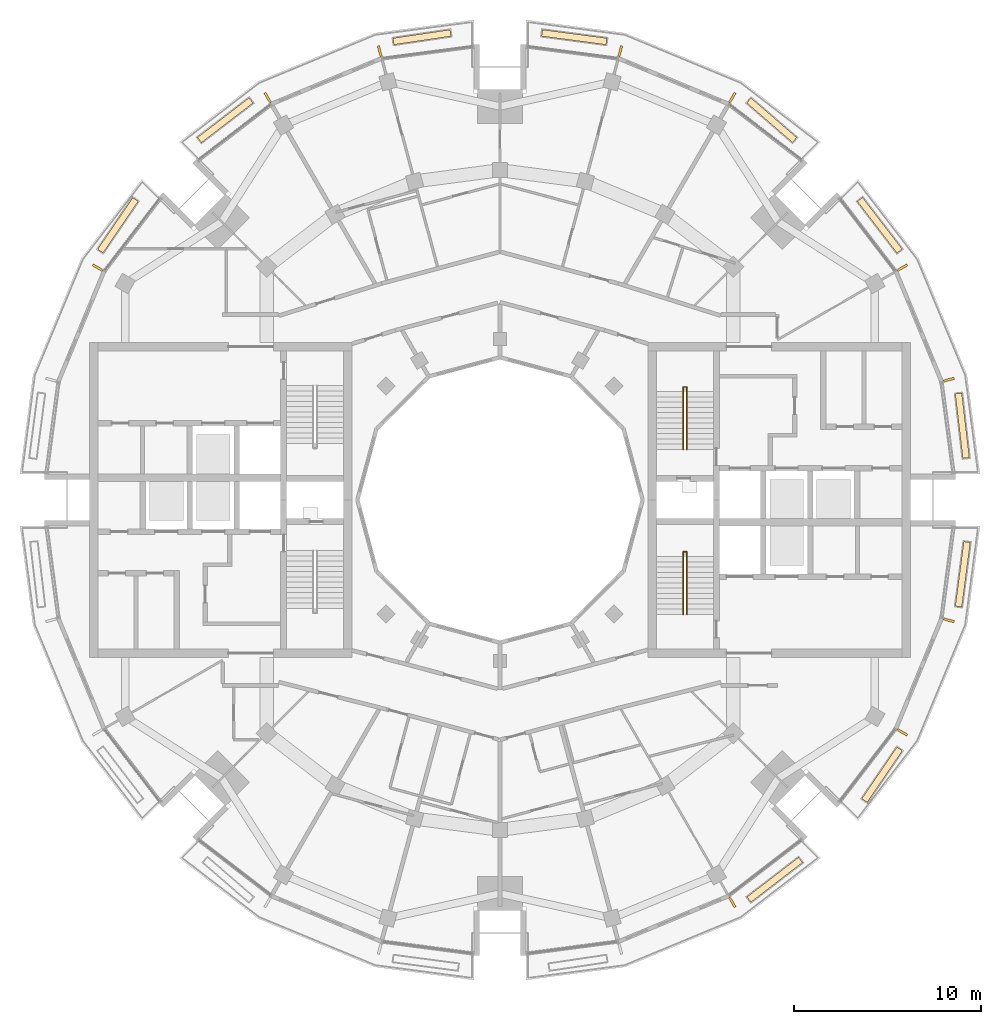
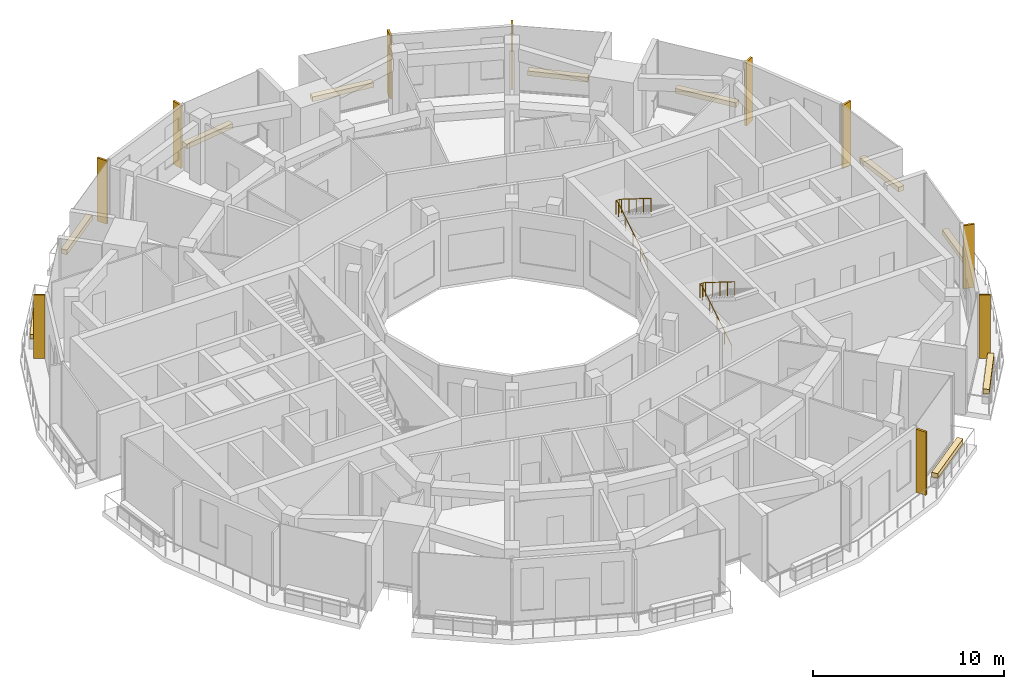
# One storey, part 16 of 17: 10 coverings, 10 shading devices, 2 railings.
"""IFC4 building model written with IfcOpenShell, lengths in metres."""

from ifc_helpers import new_model, si_unit, direction, frame, origin, origin_2d, place, context, subcontext, project, spatial, polyline, rectangle, circle, outline, extrude, material, layer, layer_set, material_profile, profile_set, type_object, element, save


model = new_model("IFC4")

# Units and contexts
model_context = context("Model", 3, precision=1e-05, world=origin(), true_north=direction((0.0, 1.0)))
body_context = subcontext(model_context, "Body", "Model", "MODEL_VIEW")
ifc_project = project(units=[si_unit("LENGTHUNIT", "METRE"), si_unit("AREAUNIT", "SQUARE_METRE"), si_unit("VOLUMEUNIT", "CUBIC_METRE"), si_unit("PLANEANGLEUNIT", "RADIAN"), si_unit("MASSUNIT", "GRAM", prefix="KILO")], contexts=[model_context])

# Site, building, storey
site_placement = place(None, origin())
site = spatial("IfcSite", under=ifc_project, at=site_placement, CompositionType="ELEMENT")
building_placement = place(site_placement, origin())
building = spatial("IfcBuilding", under=site, at=building_placement, Name="Torre Brocal", CompositionType="ELEMENT")
storey_placement = place(building_placement, frame((0.0, 0.0, 275.699951171875)))
storey = spatial("IfcBuildingStorey", under=building, at=storey_placement, Name="L63", CompositionType="ELEMENT", Elevation=275.699951171875)

# Shading devices
ifc_material_1 = material(Name="Aluminium, black anodised", Category="aluminium")
ifc_material_profile = material_profile(ifc_material_1, rectangle(XDim=0.1201171875, YDim=0.60009765625, at=origin_2d()), Name="FIN 120X600 4050 HIGH FROM FLOOR")
ifc_profile_set = profile_set([ifc_material_profile], Name="Aluminium, black anodised")
shading_device_type = type_object("IfcShadingDeviceType", Name="FIN 120X600 4050 HIGH FROM FLOOR", PredefinedType="USERDEFINED", material=ifc_profile_set)
for number, where, z_axis, x_axis, name in (
    (1, (103.947265625, 81.416748046875, 0.0), (0.0, 0.0, 1.0), (-0.258819045103, 0.965925826289, 0.0), "FIN"),
    (2, (101.470458984375, 87.39599609375, 0.0), (0.0, 0.0, 1.0), (-0.5, 0.866025403784, 0.0), "FIN"),
    (3, (92.39599609375, 96.470458984375, 0.0), (0.0, 0.0, 1.0), (-0.866025403784, 0.5, 0.0), "FIN"),
    (4, (86.416748046875, 98.947265625, 0.0), (0.0, 0.0, 1.0), (-0.965925826289, 0.258819045103, 0.0), "FIN"),
    (5, (73.583251953125, 98.947265625, 0.0), (0.0, 0.0, 1.0), (-0.965925826289, -0.258819045103, 0.0), "FIN"),
    (6, (67.60400390625, 96.470458984375, 0.0), (0.0, 0.0, 1.0), (-0.866025403784, -0.5, 0.0), "FIN"),
    (7, (58.529541015625, 87.39599609375, 0.0), (0.0, 0.0, 1.0), (-0.5, -0.866025403784, 0.0), "FIN"),
    (8, (92.39599609375, 53.529541015625, 0.0), (0.0, 0.0, 1.0), (0.866025403784, 0.5, 0.0), "FIN"),
    (9, (101.470458984375, 62.60400390625, 0.0), (0.0, 0.0, 1.0), (0.5, 0.866025403784, 0.0), "FIN"),
    (10, (103.947265625, 68.583251953125, 0.0), (0.0, 0.0, 1.0), (0.258819045103, 0.965925826289, 0.0), "FIN"),
):
    element("IfcShadingDevice", number, at=place(storey_placement, frame(where, z_axis=z_axis, x_axis=x_axis)), inside=storey, type_object=shading_device_type, Name=name, ObjectType="FIN", PredefinedType="USERDEFINED", context=body_context, shape_type="SweptSolid", body=[
        extrude(rectangle(XDim=0.1201171875, YDim=0.60009765625, at=origin_2d()), origin(), (0.0, 0.0, 1.0), 4.050048828125),
    ])

# Coverings
ifc_material_2 = material(Name="Planting soil")
ifc_layer = layer(ifc_material_2, 0.300048828125)
ifc_layer_set = layer_set([ifc_layer], Name="Planting soil")
covering_type = type_object("IfcCoveringType", Name="PLANTING SOIL 300", PredefinedType="FLOORING", material=ifc_layer_set)
covering_1_placement = place(storey_placement, frame((0.0, 0.0, 0.60009765625)))
element("IfcCovering", 11, at=covering_1_placement, inside=storey, type_object=covering_type, Name="PLANTING SOIL", PredefinedType="FLOORING", context=body_context, shape_type="SweptSolid", body=[
    extrude(outline(polyline([(104.69775390625, 77.222412109375), (104.29541015625, 80.663818359375), (104.64306640625, 80.70458984375), (105.04541015625, 77.26318359375), (104.69775390625, 77.222412109375)])), origin(), (0.0, 0.0, 1.0), 0.300048828125),
])
covering_2_placement = place(storey_placement, frame((0.0, 0.0, 0.60009765625)))
element("IfcCovering", 12, at=covering_2_placement, inside=storey, type_object=covering_type, Name="PLANTING SOIL", PredefinedType="FLOORING", context=body_context, shape_type="SweptSolid", body=[
    extrude(outline(polyline([(101.183349609375, 88.177001953125), (99.0703125, 90.930908203125), (99.347900390625, 91.14404296875), (101.461181640625, 88.39013671875), (101.183349609375, 88.177001953125)])), origin(), (0.0, 0.0, 1.0), 0.300048828125),
])
covering_3_placement = place(storey_placement, frame((0.0, 0.0, 0.60009765625)))
element("IfcCovering", 13, at=covering_3_placement, inside=storey, type_object=covering_type, Name="PLANTING SOIL", PredefinedType="FLOORING", context=body_context, shape_type="SweptSolid", body=[
    extrude(outline(polyline([(95.607421875, 94.078857421875), (93.167236328125, 96.1875), (93.39599609375, 96.452392578125), (95.83642578125, 94.34375), (95.607421875, 94.078857421875)])), origin(), (0.0, 0.0, 1.0), 0.300048828125),
])
covering_4_placement = place(storey_placement, frame((0.0, 0.0, 0.60009765625)))
element("IfcCovering", 14, at=covering_4_placement, inside=storey, type_object=covering_type, Name="PLANTING SOIL", PredefinedType="FLOORING", context=body_context, shape_type="SweptSolid", body=[
    extrude(outline(polyline([(85.661376953125, 99.29638671875), (82.219970703125, 99.74951171875), (82.265625, 100.096435546875), (85.70703125, 99.6435546875), (85.661376953125, 99.29638671875)])), origin(), (0.0, 0.0, 1.0), 0.300048828125),
])
covering_5_placement = place(storey_placement, frame((0.0, 0.0, 0.60009765625)))
element("IfcCovering", 15, at=covering_5_placement, inside=storey, type_object=covering_type, Name="PLANTING SOIL", PredefinedType="FLOORING", context=body_context, shape_type="SweptSolid", body=[
    extrude(outline(polyline([(77.386474609375, 99.7490234375), (74.34130859375, 99.297607421875), (74.2900390625, 99.643798828125), (77.335205078125, 100.095458984375), (77.386474609375, 99.7490234375)])), origin(), (0.0, 0.0, 1.0), 0.300048828125),
])
covering_6_placement = place(storey_placement, frame((0.0, 0.0, 0.60009765625)))
element("IfcCovering", 16, at=covering_6_placement, inside=storey, type_object=covering_type, Name="PLANTING SOIL", PredefinedType="FLOORING", context=body_context, shape_type="SweptSolid", body=[
    extrude(outline(polyline([(66.822998046875, 96.183349609375), (64.069091796875, 94.0703125), (63.85595703125, 94.347900390625), (66.60986328125, 96.461181640625), (66.822998046875, 96.183349609375)])), origin(), (0.0, 0.0, 1.0), 0.300048828125),
])
covering_7_placement = place(storey_placement, frame((0.0, 0.0, 0.60009765625)))
element("IfcCovering", 17, at=covering_7_placement, inside=storey, type_object=covering_type, Name="PLANTING SOIL", PredefinedType="FLOORING", context=body_context, shape_type="SweptSolid", body=[
    extrude(outline(polyline([(60.6943359375, 90.937255859375), (58.820068359375, 88.1865234375), (58.53076171875, 88.3837890625), (60.405029296875, 91.13427734375), (60.6943359375, 90.937255859375)])), origin(), (0.0, 0.0, 1.0), 0.300048828125),
])
covering_8_placement = place(storey_placement, frame((0.0, 0.0, 0.60009765625)))
element("IfcCovering", 18, at=covering_8_placement, inside=storey, type_object=covering_type, Name="PLANTING SOIL", PredefinedType="FLOORING", context=body_context, shape_type="SweptSolid", body=[
    extrude(outline(polyline([(93.177001953125, 53.816650390625), (95.930908203125, 55.9296875), (96.14404296875, 55.652099609375), (93.39013671875, 53.538818359375), (93.177001953125, 53.816650390625)])), origin(), (0.0, 0.0, 1.0), 0.300048828125),
])
covering_9_placement = place(storey_placement, frame((0.0, 0.0, 0.60009765625)))
element("IfcCovering", 19, at=covering_9_placement, inside=storey, type_object=covering_type, Name="PLANTING SOIL", PredefinedType="FLOORING", context=body_context, shape_type="SweptSolid", body=[
    extrude(outline(polyline([(99.3056640625, 59.062744140625), (101.179931640625, 61.8134765625), (101.46923828125, 61.6162109375), (99.594970703125, 58.86572265625), (99.3056640625, 59.062744140625)])), origin(), (0.0, 0.0, 1.0), 0.300048828125),
])
covering_10_placement = place(storey_placement, frame((0.0, 0.0, 0.60009765625)))
element("IfcCovering", 20, at=covering_10_placement, inside=storey, type_object=covering_type, Name="PLANTING SOIL", PredefinedType="FLOORING", context=body_context, shape_type="SweptSolid", body=[
    extrude(outline(polyline([(104.29638671875, 69.338623046875), (104.74951171875, 72.780029296875), (105.096435546875, 72.734375), (104.6435546875, 69.29296875), (104.29638671875, 69.338623046875)])), origin(), (0.0, 0.0, 1.0), 0.300048828125),
])

# Railings
ifc_material_3 = material(Name="Stainless steel AISI 316", Category="steel")
railing_type = type_object("IfcRailingType", Name="STAIR HANDRAIL", PredefinedType="HANDRAIL", material=ifc_material_3)
railing_1_placement = place(storey_placement, frame((89.780029296875, 77.699951171875, 0.175048828125)))
element("IfcRailing", 21, at=railing_1_placement, inside=storey, type_object=railing_type, Name="HANDRAIL ST1", PredefinedType="HANDRAIL", context=body_context, shape_type="SweptSolid", body=[
    extrude(circle(Radius=0.02392578125, at=origin_2d()), frame((0.0, 0.0, 0.8759765625), z_axis=(0.0, 0.847998304005, 0.529998940003), x_axis=(-1.0, 0.0, 0.0)), (0.0, 0.0, 1.0), 3.632080078125),
    extrude(circle(Radius=0.02392578125, at=origin_2d()), frame((0.0, 3.080078125, 2.80078125), z_axis=(0.0, 1.0, 0.0), x_axis=(-1.0, 0.0, 0.0)), (0.0, 0.0, 1.0), 0.25),
    extrude(circle(Radius=0.02392578125, at=origin_2d()), frame((0.0, 3.330078125, 2.80078125), z_axis=(1.0, 0.0, 0.0), x_axis=(0.0, 1.0, 0.0)), (0.0, 0.0, 1.0), 0.18994140625),
    extrude(circle(Radius=0.02392578125, at=origin_2d()), frame((0.18994140625, 3.330078125, 2.80078125), z_axis=(0.0, -0.819156749665, 0.573569716318), x_axis=(1.0, 0.0, 0.0)), (0.0, 0.0, 1.0), 0.30517578125),
    extrude(circle(Radius=0.02392578125, at=origin_2d()), frame((0.18994140625, 3.080078125, 2.97607421875), z_axis=(0.0, -0.848028513186, 0.529950602248), x_axis=(1.0, 0.0, 0.0)), (0.0, 0.0, 1.0), 3.632080078125),
    extrude(circle(Radius=0.02099609375, at=origin_2d()), origin(), (0.0, 0.0, 1.0), 0.851806640625),
    extrude(circle(Radius=0.02099609375, at=origin_2d()), frame((0.0, 0.77001953125, 0.481201171875)), (0.0, 0.0, 1.0), 0.851806640625),
    extrude(circle(Radius=0.02099609375, at=origin_2d()), frame((0.0, 1.5400390625, 0.96240234375)), (0.0, 0.0, 1.0), 0.851806640625),
    extrude(circle(Radius=0.02099609375, at=origin_2d()), frame((0.0, 2.31005859375, 1.44384765625)), (0.0, 0.0, 1.0), 0.851806640625),
    extrude(circle(Radius=0.02099609375, at=origin_2d()), frame((0.0, 3.080078125, 1.925048828125)), (0.0, 0.0, 1.0), 0.851806640625),
    extrude(circle(Radius=0.02099609375, at=origin_2d()), frame((0.0, 3.330078125, 1.925048828125)), (0.0, 0.0, 1.0), 0.851806640625),
    extrude(circle(Radius=0.02099609375, at=origin_2d()), frame((0.18994140625, 3.330078125, 1.925048828125)), (0.0, 0.0, 1.0), 0.851806640625),
    extrude(circle(Radius=0.02099609375, at=origin_2d()), frame((0.18994140625, 3.080078125, 2.10009765625)), (0.0, 0.0, 1.0), 0.851806640625),
    extrude(circle(Radius=0.02099609375, at=origin_2d()), frame((0.18994140625, 2.31005859375, 2.581298828125)), (0.0, 0.0, 1.0), 0.851806640625),
    extrude(circle(Radius=0.02099609375, at=origin_2d()), frame((0.18994140625, 1.5400390625, 3.0625)), (0.0, 0.0, 1.0), 0.851806640625),
    extrude(circle(Radius=0.02099609375, at=origin_2d()), frame((0.18994140625, 0.77001953125, 3.543701171875)), (0.0, 0.0, 1.0), 0.851806640625),
    extrude(circle(Radius=0.02099609375, at=origin_2d()), frame((0.18994140625, 0.0, 4.02490234375)), (0.0, 0.0, 1.0), 0.851806640625),
])
railing_2_placement = place(storey_placement, frame((89.780029296875, 68.89990234375, 0.175048828125)))
element("IfcRailing", 22, at=railing_2_placement, inside=storey, type_object=railing_type, Name="HANDRAIL ST2", PredefinedType="HANDRAIL", context=body_context, shape_type="SweptSolid", body=[
    extrude(circle(Radius=0.02392578125, at=origin_2d()), frame((0.0, 0.0, 0.8759765625), z_axis=(0.0, 0.847998304005, 0.529998940003), x_axis=(-1.0, 0.0, 0.0)), (0.0, 0.0, 1.0), 3.632080078125),
    extrude(circle(Radius=0.02392578125, at=origin_2d()), frame((0.0, 3.080078125, 2.80078125), z_axis=(0.0, 1.0, 0.0), x_axis=(-1.0, 0.0, 0.0)), (0.0, 0.0, 1.0), 0.25),
    extrude(circle(Radius=0.02392578125, at=origin_2d()), frame((0.0, 3.330078125, 2.80078125), z_axis=(1.0, 0.0, 0.0), x_axis=(0.0, 1.0, 0.0)), (0.0, 0.0, 1.0), 0.18994140625),
    extrude(circle(Radius=0.02392578125, at=origin_2d()), frame((0.18994140625, 3.330078125, 2.80078125), z_axis=(0.0, -0.819156749665, 0.573569716318), x_axis=(1.0, 0.0, 0.0)), (0.0, 0.0, 1.0), 0.30517578125),
    extrude(circle(Radius=0.02392578125, at=origin_2d()), frame((0.18994140625, 3.080078125, 2.97607421875), z_axis=(0.0, -0.848028513186, 0.529950602248), x_axis=(1.0, 0.0, 0.0)), (0.0, 0.0, 1.0), 3.632080078125),
    extrude(circle(Radius=0.02099609375, at=origin_2d()), origin(), (0.0, 0.0, 1.0), 0.851806640625),
    extrude(circle(Radius=0.02099609375, at=origin_2d()), frame((0.0, 0.77001953125, 0.481201171875)), (0.0, 0.0, 1.0), 0.851806640625),
    extrude(circle(Radius=0.02099609375, at=origin_2d()), frame((0.0, 1.5400390625, 0.96240234375)), (0.0, 0.0, 1.0), 0.851806640625),
    extrude(circle(Radius=0.02099609375, at=origin_2d()), frame((0.0, 2.31005859375, 1.44384765625)), (0.0, 0.0, 1.0), 0.851806640625),
    extrude(circle(Radius=0.02099609375, at=origin_2d()), frame((0.0, 3.080078125, 1.925048828125)), (0.0, 0.0, 1.0), 0.851806640625),
    extrude(circle(Radius=0.02099609375, at=origin_2d()), frame((0.0, 3.330078125, 1.925048828125)), (0.0, 0.0, 1.0), 0.851806640625),
    extrude(circle(Radius=0.02099609375, at=origin_2d()), frame((0.18994140625, 3.330078125, 1.925048828125)), (0.0, 0.0, 1.0), 0.851806640625),
    extrude(circle(Radius=0.02099609375, at=origin_2d()), frame((0.18994140625, 3.080078125, 2.10009765625)), (0.0, 0.0, 1.0), 0.851806640625),
    extrude(circle(Radius=0.02099609375, at=origin_2d()), frame((0.18994140625, 2.31005859375, 2.581298828125)), (0.0, 0.0, 1.0), 0.851806640625),
    extrude(circle(Radius=0.02099609375, at=origin_2d()), frame((0.18994140625, 1.5400390625, 3.0625)), (0.0, 0.0, 1.0), 0.851806640625),
    extrude(circle(Radius=0.02099609375, at=origin_2d()), frame((0.18994140625, 0.77001953125, 3.543701171875)), (0.0, 0.0, 1.0), 0.851806640625),
    extrude(circle(Radius=0.02099609375, at=origin_2d()), frame((0.18994140625, 0.0, 4.02490234375)), (0.0, 0.0, 1.0), 0.851806640625),
])

save(model, "model.ifc")
